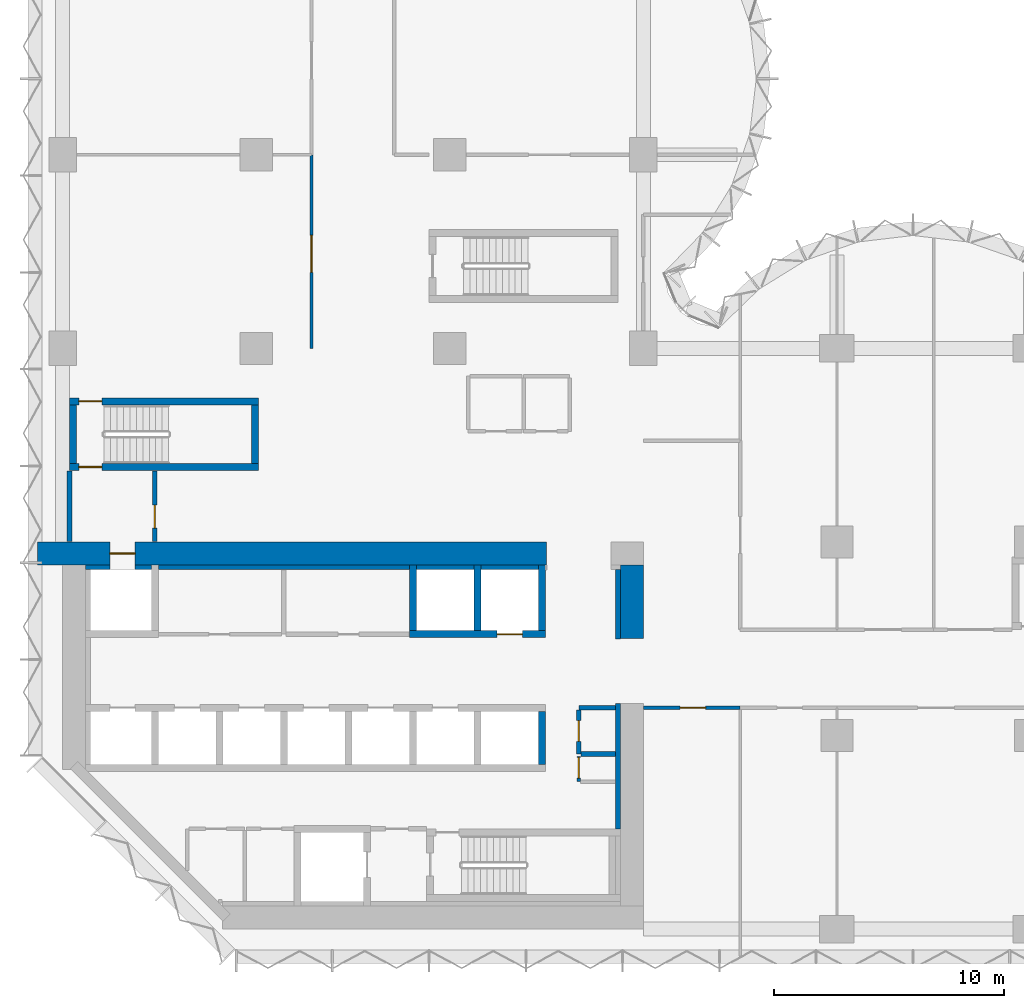
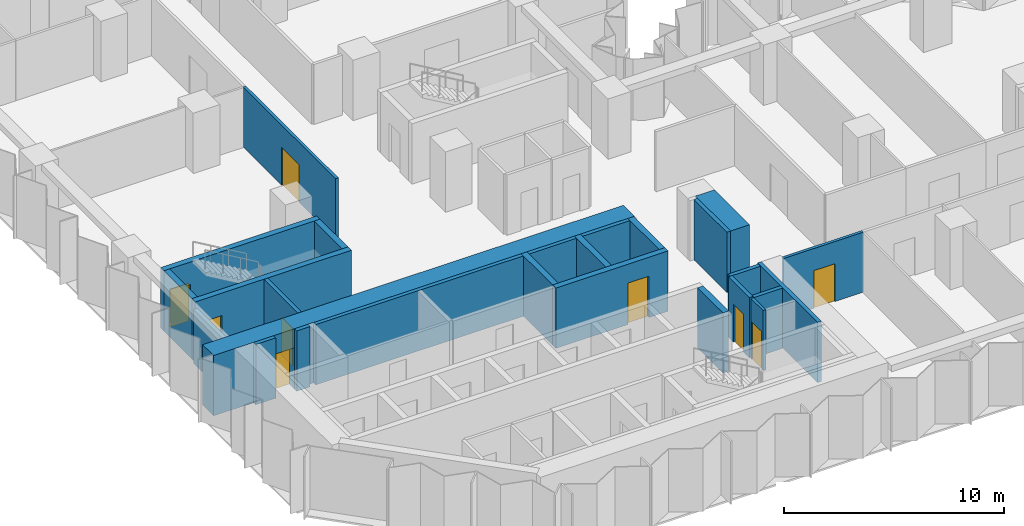
# One storey, part 8 of 15: 26 walls, 9 doors, 9 openings.
"""IFC4 building model written with IfcOpenShell, lengths in metres."""

import ifcopenshell
import ifcopenshell.guid

model = None  # the IFC model being written
_history = None  # IfcOwnerHistory: only IFC2X3 demands one
_inside = {}  # id of a spatial element -> (the spatial element, [elements in it])
_under = {}  # id of a project, library or spatial element -> (it, [spatial elements below it])
_declared = {}  # id of a project -> (the project, [libraries it declares])
_typed = {}  # id of a type object -> (the type object, [elements of that type])
_made_of = {}  # id of a material, layer set ... -> (it, [elements and type objects made of it])


def new_model(schema):
    """Start an empty IFC model of exactly this schema.

    Asked for "IFC4X3", IfcOpenShell would pick the latest addendum, in which some entities
    have other attributes; the version numbers below select the first issue.
    IFC2X3 requires an IfcOwnerHistory on every rooted entity: one is made here for all.
    """
    global model, _history
    if schema == "IFC4X3":
        model = ifcopenshell.file(schema_version=(4, 3, 0, 0))
    else:
        model = ifcopenshell.file(schema=schema)
    _inside.clear()
    _under.clear()
    _declared.clear()
    _typed.clear()
    _made_of.clear()
    _history = None
    if model.schema == "IFC2X3":
        org = make("IfcOrganization", Name="unknown")
        user = make(
            "IfcPersonAndOrganization",
            ThePerson=make("IfcPerson", FamilyName="unknown"),
            TheOrganization=org,
        )
        app = make(
            "IfcApplication",
            ApplicationDeveloper=org,
            Version="unknown",
            ApplicationFullName="unknown",
            ApplicationIdentifier="unknown",
        )
        _history = make(
            "IfcOwnerHistory",
            OwningUser=user,
            OwningApplication=app,
            ChangeAction="ADDED",
            CreationDate=0,
        )
    return model


def make(cls, **values):
    """One entity of the class cls with the attributes given. An attribute that is None is left unset."""
    return model.create_entity(
        cls, **{name: value for name, value in values.items() if value is not None}
    )


def rooted(cls, **values):
    """An entity with a GlobalId (a new one), such as an element, a storey or a relation."""
    return make(cls, GlobalId=ifcopenshell.guid.new(), OwnerHistory=_history, **values)


def si_unit(unit_type, name, prefix=None):
    """IfcSIUnit, for example si_unit("LENGTHUNIT", "METRE", prefix="MILLI")."""
    return make("IfcSIUnit", UnitType=unit_type, Prefix=prefix, Name=name)


def assignment(units):
    """IfcUnitAssignment: the units of a project."""
    return None if units is None else make("IfcUnitAssignment", Units=units)


def point(xyz):
    """IfcCartesianPoint."""
    return None if xyz is None else make("IfcCartesianPoint", Coordinates=xyz)


def direction(xyz):
    """IfcDirection."""
    return None if xyz is None else make("IfcDirection", DirectionRatios=xyz)


def frame(location, z_axis=None, x_axis=None):
    """IfcAxis2Placement3D, a coordinate frame: its origin and axes. An axis left out is left unset."""
    return make(
        "IfcAxis2Placement3D",
        Location=point(location),
        Axis=direction(z_axis),
        RefDirection=direction(x_axis),
    )


def frame_2d(location, x_axis=None):
    """IfcAxis2Placement2D, a coordinate frame in the plane: its origin and x axis."""
    return make(
        "IfcAxis2Placement2D", Location=point(location), RefDirection=direction(x_axis)
    )


def origin():
    """The frame at (0, 0, 0) with its axes left unset."""
    return frame((0.0, 0.0, 0.0))


def place(relative_to, where):
    """IfcLocalPlacement: puts the frame where relative to a parent placement (None: the world)."""
    return make(
        "IfcLocalPlacement", PlacementRelTo=relative_to, RelativePlacement=where
    )


def context(
    kind, dimensions, precision=None, world=None, true_north=None, identifier=None
):
    """IfcGeometricRepresentationContext, for example the 3D "Model" context."""
    return make(
        "IfcGeometricRepresentationContext",
        ContextIdentifier=identifier,
        ContextType=kind,
        CoordinateSpaceDimension=dimensions,
        Precision=precision,
        WorldCoordinateSystem=world,
        TrueNorth=true_north,
    )


def subcontext(parent, identifier, kind, view, scale=None):
    """IfcGeometricRepresentationSubContext, for example "Body" below "Model"."""
    return make(
        "IfcGeometricRepresentationSubContext",
        ContextIdentifier=identifier,
        ContextType=kind,
        ParentContext=parent,
        TargetScale=scale,
        TargetView=view,
    )


def project(units=None, contexts=None):
    """IfcProject with its units and contexts."""
    return rooted(
        "IfcProject",
        Name="project",
        RepresentationContexts=contexts,
        UnitsInContext=assignment(units),
    )


def spatial(cls, under=None, at=None, **own):
    """A site, building, storey or space (cls), placed at a placement, below another one or the project."""
    s = rooted(cls, ObjectPlacement=at, **own)
    if under is not None:
        _under.setdefault(under.id(), (under, []))[1].append(s)
    return s


def profile(cls, at=None, kind="AREA", **sizes):
    """A parametric profile (cls). Its sizes go by their IFC names, for example OverallWidth=200.0."""
    return make(cls, ProfileType=kind, Position=at, **sizes)


def rectangle(**sizes):
    """IfcRectangleProfileDef."""
    return profile("IfcRectangleProfileDef", **sizes)


def extrude(swept, where, along, depth):
    """IfcExtrudedAreaSolid: the profile swept, set in the frame where, extruded along a direction by depth."""
    return make(
        "IfcExtrudedAreaSolid",
        SweptArea=swept,
        Position=where,
        ExtrudedDirection=direction(along),
        Depth=depth,
    )


def shape(context_of_items, identifier, shape_type, items):
    """IfcShapeRepresentation: the items that make up one representation, for example the "Body"."""
    return make(
        "IfcShapeRepresentation",
        ContextOfItems=context_of_items,
        RepresentationIdentifier=identifier,
        RepresentationType=shape_type,
        Items=items,
    )


def material(Name=None, Category=None):
    """IfcMaterial."""
    return make("IfcMaterial", Name=Name, Category=Category)


def layer(
    of_material, thickness, ventilated=None, Name=None, Category=None, Priority=None
):
    """IfcMaterialLayer: one layer of a wall or slab, of a material (None: an air gap)."""
    return make(
        "IfcMaterialLayer",
        Material=of_material,
        LayerThickness=thickness,
        IsVentilated=ventilated,
        Name=Name,
        Category=Category,
        Priority=Priority,
    )


def layer_set(layers, Name=None):
    """IfcMaterialLayerSet."""
    return make("IfcMaterialLayerSet", MaterialLayers=layers, LayerSetName=Name)


def made_of(thing, what):
    """Note that an element or type object is made of a material, layer set ...; save() writes the relation."""
    if what is not None:
        _made_of.setdefault(what.id(), (what, []))[1].append(thing)
    return thing


def type_object(cls, material=None, **own):
    """A type object (cls), such as IfcWallType, which elements share."""
    return made_of(rooted(cls, **own), material)


def element(
    cls,
    number,
    at=None,
    inside=None,
    cuts=None,
    type_object=None,
    material=None,
    context=None,
    identifier="Body",
    shape_type=None,
    held_by="IfcProductDefinitionShape",
    body=None,
    shapes=None,
    **own,
):
    """One element of the class cls, such as IfcWall. Its Tag is "e" and its number.

    at: its placement. inside: the storey or other place that contains it. cuts: it is an
    opening in that element (IfcRelVoidsElement). A single representation is given by context,
    identifier, shape_type and body (its items); several are given by shapes. held_by: the class
    of the entity that holds the representations. save() writes the other relations.
    """
    e = rooted(cls, Tag="e%d" % number, ObjectPlacement=at, **own)
    if body is not None:
        shapes = [shape(context, identifier, shape_type, body)]
    if shapes is not None:
        e.Representation = make(held_by, Representations=shapes)
    if inside is not None:
        _inside.setdefault(inside.id(), (inside, []))[1].append(e)
    if cuts is not None:
        rooted(
            "IfcRelVoidsElement", RelatingBuildingElement=cuts, RelatedOpeningElement=e
        )
    if type_object is not None:
        _typed.setdefault(type_object.id(), (type_object, []))[1].append(e)
    return made_of(e, material)


def fill(opening, filler):
    """IfcRelFillsElement: the door or window that sits in an opening."""
    return rooted(
        "IfcRelFillsElement",
        RelatingOpeningElement=opening,
        RelatedBuildingElement=filler,
    )


def aggregate(whole, parts):
    """IfcRelAggregates: a whole, such as a stair, and the parts it consists of."""
    return rooted("IfcRelAggregates", RelatingObject=whole, RelatedObjects=parts)


def save(model, path):
    """Write the relations noted so far, then the file.

    IfcRelAggregates (storeys below a building ...), IfcRelContainedInSpatialStructure (elements
    in a storey), IfcRelDefinesByType, IfcRelAssociatesMaterial and IfcRelDeclares: one each for
    every whole, place, type object, material and project.
    """
    for whole, parts in _under.values():
        aggregate(whole, parts)
    for where, things in _inside.values():
        rooted(
            "IfcRelContainedInSpatialStructure",
            RelatedElements=things,
            RelatingStructure=where,
        )
    for kind, things in _typed.values():
        rooted("IfcRelDefinesByType", RelatedObjects=things, RelatingType=kind)
    for what, things in _made_of.values():
        rooted("IfcRelAssociatesMaterial", RelatedObjects=things, RelatingMaterial=what)
    for by, libraries in _declared.values():
        rooted("IfcRelDeclares", RelatingContext=by, RelatedDefinitions=libraries)
    model.write(path)


model = new_model("IFC4")

# Units and contexts
model_context = context("Model", 3, precision=1e-05, world=origin(), true_north=direction((0.0, 1.0)))
body_context = subcontext(model_context, "Body", "Model", "MODEL_VIEW")
ifc_project = project(units=[si_unit("LENGTHUNIT", "METRE"), si_unit("AREAUNIT", "SQUARE_METRE"), si_unit("VOLUMEUNIT", "CUBIC_METRE"), si_unit("PLANEANGLEUNIT", "RADIAN"), si_unit("MASSUNIT", "GRAM", prefix="KILO")], contexts=[model_context])

# Site, building, storey
site_placement = place(None, origin())
site = spatial("IfcSite", under=ifc_project, at=site_placement, CompositionType="ELEMENT")
building_placement = place(site_placement, origin())
building = spatial("IfcBuilding", under=site, at=building_placement, Name="Brevane Broadcast Tower", CompositionType="ELEMENT")
storey_placement = place(building_placement, frame((0.0, 0.0, 61.699951171875)))
storey = spatial("IfcBuildingStorey", under=building, at=storey_placement, Name="L13", CompositionType="ELEMENT", Elevation=61.699951171875)

# Walls
ifc_material_1 = material(Name="Concrete C32/40", Category="concrete")
ifc_layer_1 = layer(ifc_material_1, 0.199951171875)
ifc_layer_set_1 = layer_set([ifc_layer_1], Name="Core chase wall 200 mm")
wall_type_1 = type_object("IfcWallType", Name="Core chase wall 200 mm", PredefinedType="PARTITIONING", material=ifc_layer_set_1)
wall_1_placement = place(storey_placement, frame((24.10009765625, 12.60009765625, 0.0), z_axis=(0.0, 0.0, 1.0), x_axis=(0.0, 1.0, 0.0)))
element("IfcWall", 1, at=wall_1_placement, inside=storey, type_object=wall_type_1, Name="L13 chase wall LE2", PredefinedType="PARTITIONING", context=body_context, shape_type="SweptSolid", body=[
    extrude(rectangle(XDim=3.0, YDim=0.199951171875, at=frame_2d((1.5, 0.0))), origin(), (0.0, 0.0, 1.0), 3.35009765625),
])
wall_2_placement = place(storey_placement, frame((1.0, 15.699951171875, 0.0), z_axis=(0.0, 0.0, 1.0), x_axis=(1.0, 0.0, 0.0)))
element("IfcWall", 2, at=wall_2_placement, inside=storey, type_object=wall_type_1, Name="L13 chase wall LN0", PredefinedType="PARTITIONING", context=body_context, shape_type="SweptSolid", body=[
    extrude(rectangle(XDim=1.050048828125, YDim=0.199951171875, at=frame_2d((0.52490234375, 0.0))), origin(), (0.0, 0.0, 1.0), 3.35009765625),
])
wall_3_placement = place(storey_placement, frame((3.14990234375, 15.699951171875, 0.0), z_axis=(0.0, 0.0, 1.0), x_axis=(1.0, 0.0, 0.0)))
element("IfcWall", 3, at=wall_3_placement, inside=storey, type_object=wall_type_1, Name="L13 chase wall LN1-1", PredefinedType="PARTITIONING", context=body_context, shape_type="SweptSolid", body=[
    extrude(rectangle(XDim=0.7001953125, YDim=0.199951171875, at=frame_2d((0.35009765625, 0.0))), origin(), (0.0, 0.0, 1.0), 3.35009765625),
])
wall_4_placement = place(storey_placement, frame((4.14990234375, 15.699951171875, 0.0), z_axis=(0.0, 0.0, 1.0), x_axis=(1.0, 0.0, 0.0)))
element("IfcWall", 4, at=wall_4_placement, inside=storey, type_object=wall_type_1, Name="L13 chase wall LN1-2-1", PredefinedType="PARTITIONING", context=body_context, shape_type="SweptSolid", body=[
    extrude(rectangle(XDim=10.900146484375, YDim=0.199951171875, at=frame_2d((5.4501953125, 0.0))), origin(), (0.0, 0.0, 1.0), 3.35009765625),
])
for number, where, z_axis, x_axis, name in (
    (5, (15.35009765625, 15.699951171875, 0.0), (0.0, 0.0, 1.0), (1.0, 0.0, 0.0), "L13 chase wall LN1-2-2-1"),
    (6, (18.14990234375, 15.699951171875, 0.0), (0.0, 0.0, 1.0), (1.0, 0.0, 0.0), "L13 chase wall LN1-2-2-2-1"),
):
    element("IfcWall", number, at=place(storey_placement, frame(where, z_axis=z_axis, x_axis=x_axis)), inside=storey, type_object=wall_type_1, Name=name, PredefinedType="PARTITIONING", context=body_context, shape_type="SweptSolid", body=[
        extrude(rectangle(XDim=2.5, YDim=0.199951171875, at=frame_2d((1.25, 0.0))), origin(), (0.0, 0.0, 1.0), 3.35009765625),
    ])
wall_5_placement = place(storey_placement, frame((24.10009765625, 4.35009765625, 0.0), z_axis=(0.0, 0.0, 1.0), x_axis=(0.0, 1.0, 0.0)))
element("IfcWall", 7, at=wall_5_placement, inside=storey, type_object=wall_type_1, Name="L13 chase wall LE1-2-2", PredefinedType="PARTITIONING", context=body_context, shape_type="SweptSolid", body=[
    extrude(rectangle(XDim=5.449951171875, YDim=0.199951171875, at=frame_2d((2.72509765625, 0.0))), origin(), (0.0, 0.0, 1.0), 3.35009765625),
])

# Wall, opening, door
ifc_material_2 = material(Name="Gypsum board on steel studs", Category="steel")
ifc_layer_2 = layer(ifc_material_2, 0.14990234375)
ifc_layer_set_2 = layer_set([ifc_layer_2], Name="Core fire partition 150 mm")
wall_type_2 = type_object("IfcWallType", Name="Core fire partition 150 mm", PredefinedType="PARTITIONING", material=ifc_layer_set_2)
wall_6_placement = place(storey_placement, frame((22.39990234375, 7.5, 0.0), z_axis=(0.0, 0.0, 1.0), x_axis=(0.0, -1.0, 0.0)))
wall_6 = element("IfcWall", 8, at=wall_6_placement, inside=storey, type_object=wall_type_2, Name="L13 partition wall P22", PredefinedType="PARTITIONING", context=body_context, shape_type="SweptSolid", body=[
    extrude(rectangle(XDim=1.10009765625, YDim=0.14990234375, at=frame_2d((0.550048828125, 0.0))), origin(), (0.0, 0.0, 1.0), 3.35009765625),
])
opening_1_placement = place(wall_6_placement, frame((0.050048828125, 0.0, 0.0)))
opening_1 = element("IfcOpeningElement", 9, at=opening_1_placement, cuts=wall_6, Name="Opening L13-K19", PredefinedType="OPENING", context=body_context, shape_type="SweptSolid", body=[
    extrude(rectangle(XDim=0.89990234375, YDim=2.10009765625, at=frame_2d((0.449951171875, 1.050048828125))), frame((0.0, 0.0849609375, 0.0), z_axis=(0.0, -1.0, 0.0), x_axis=(1.0, 0.0, 0.0)), (0.0, 0.0, 1.0), 0.169921875),
])
ifc_material_3 = material(Name="Steel", Category="steel")
door_type_1 = type_object("IfcDoorType", Name="Service room door 900 x 2100", OperationType="SINGLE_SWING_LEFT", PredefinedType="DOOR", material=ifc_material_3)
door_1_placement = place(opening_1_placement, origin())
door_1 = element("IfcDoor", 10, at=door_1_placement, inside=storey, type_object=door_type_1, Name="Door L13-K19", OperationType="SINGLE_SWING_RIGHT", OverallHeight=2.10009765625, OverallWidth=0.89990234375, PredefinedType="DOOR", context=body_context, shape_type="SweptSolid", body=[
    extrude(rectangle(XDim=0.89990234375, YDim=2.10009765625, at=frame_2d((0.449951171875, 1.050048828125))), frame((0.0, 0.02490234375, 0.0), z_axis=(0.0, -1.0, 0.0), x_axis=(1.0, 0.0, 0.0)), (0.0, 0.0, 1.0), 0.050048828125),
])
fill(opening_1, door_1)

# Wall
ifc_layer_3 = layer(ifc_material_2, 0.199951171875)
ifc_layer_set_3 = layer_set([ifc_layer_3], Name="Core fire partition 200 mm")
wall_type_3 = type_object("IfcWallType", Name="Core fire partition 200 mm", PredefinedType="PARTITIONING", material=ifc_layer_set_3)
wall_7_placement = place(storey_placement, frame((0.300048828125, 16.81201171875, 0.0), z_axis=(0.0, 0.0, 1.0), x_axis=(0.0, 1.0, 0.0)))
element("IfcWall", 11, at=wall_7_placement, inside=storey, type_object=wall_type_3, Name="L13 partition wall P01", PredefinedType="PARTITIONING", context=body_context, shape_type="SweptSolid", body=[
    extrude(rectangle(XDim=3.075927734375, YDim=0.199951171875, at=frame_2d((1.5380859375, 0.0))), origin(), (0.0, 0.0, 1.0), 2.97998046875),
])

# Wall, opening, door
wall_8_placement = place(storey_placement, frame((4.0, 19.887939453125, 0.0), z_axis=(0.0, 0.0, 1.0), x_axis=(0.0, -1.0, 0.0)))
wall_8 = element("IfcWall", 12, at=wall_8_placement, inside=storey, type_object=wall_type_3, Name="L13 partition wall P02", PredefinedType="PARTITIONING", context=body_context, shape_type="SweptSolid", body=[
    extrude(rectangle(XDim=3.075927734375, YDim=0.199951171875, at=frame_2d((1.5380859375, 0.0))), origin(), (0.0, 0.0, 1.0), 3.35009765625),
])
opening_2_placement = place(wall_8_placement, frame((1.488037109375, 0.0, 0.0)))
opening_2 = element("IfcOpeningElement", 13, at=opening_2_placement, cuts=wall_8, Name="Opening L13-K23", PredefinedType="OPENING", context=body_context, shape_type="SweptSolid", body=[
    extrude(rectangle(XDim=1.0, YDim=2.10009765625, at=frame_2d((0.5, 1.050048828125))), frame((0.0, 0.10986328125, 0.0), z_axis=(0.0, -1.0, 0.0), x_axis=(1.0, 0.0, 0.0)), (0.0, 0.0, 1.0), 0.219970703125),
])
door_type_2 = type_object("IfcDoorType", Name="Stair door 1000 x 2100", OperationType="SINGLE_SWING_LEFT", PredefinedType="DOOR", material=ifc_material_3)
door_2_placement = place(opening_2_placement, origin())
door_2 = element("IfcDoor", 14, at=door_2_placement, inside=storey, type_object=door_type_2, Name="Door L13-K23", OperationType="SINGLE_SWING_RIGHT", OverallHeight=2.10009765625, OverallWidth=1.0, PredefinedType="DOOR", context=body_context, shape_type="SweptSolid", body=[
    extrude(rectangle(XDim=1.0, YDim=2.10009765625, at=frame_2d((0.5, 1.050048828125))), frame((0.0, 0.02490234375, 0.0), z_axis=(0.0, -1.0, 0.0), x_axis=(1.0, 0.0, 0.0)), (0.0, 0.0, 1.0), 0.050048828125),
])
fill(opening_2, door_2)

# Wall
wall_9_placement = place(storey_placement, frame((23.988037109375, 9.60009765625, 0.0), z_axis=(0.0, 0.0, 1.0), x_axis=(-1.0, 0.0, 0.0)))
element("IfcWall", 15, at=wall_9_placement, inside=storey, type_object=wall_type_3, Name="L13 partition wall P06", PredefinedType="PARTITIONING", context=body_context, shape_type="SweptSolid", body=[
    extrude(rectangle(XDim=1.588134765625, YDim=0.199951171875, at=frame_2d((0.7939453125, 0.0))), origin(), (0.0, 0.0, 1.0), 3.35009765625),
])

# Wall, opening, door
wall_10_placement = place(storey_placement, frame((22.39990234375, 9.5, 0.0), z_axis=(0.0, 0.0, 1.0), x_axis=(0.0, -1.0, 0.0)))
wall_10 = element("IfcWall", 16, at=wall_10_placement, inside=storey, type_object=wall_type_3, Name="L13 partition wall P07", PredefinedType="PARTITIONING", context=body_context, shape_type="SweptSolid", body=[
    extrude(rectangle(XDim=1.89990234375, YDim=0.199951171875, at=frame_2d((0.949951171875, 0.0))), origin(), (0.0, 0.0, 1.0), 3.35009765625),
])
opening_3_placement = place(wall_10_placement, frame((0.449951171875, 0.0, 0.0)))
opening_3 = element("IfcOpeningElement", 17, at=opening_3_placement, cuts=wall_10, Name="Opening L13-K20", PredefinedType="OPENING", context=body_context, shape_type="SweptSolid", body=[
    extrude(rectangle(XDim=0.89990234375, YDim=2.10009765625, at=frame_2d((0.449951171875, 1.050048828125))), frame((0.0, 0.10986328125, 0.0), z_axis=(0.0, -1.0, 0.0), x_axis=(1.0, 0.0, 0.0)), (0.0, 0.0, 1.0), 0.219970703125),
])
door_3_placement = place(opening_3_placement, origin())
door_3 = element("IfcDoor", 18, at=door_3_placement, inside=storey, type_object=door_type_1, Name="Door L13-K20", OperationType="SINGLE_SWING_LEFT", OverallHeight=2.10009765625, OverallWidth=0.89990234375, PredefinedType="DOOR", context=body_context, shape_type="SweptSolid", body=[
    extrude(rectangle(XDim=0.89990234375, YDim=2.10009765625, at=frame_2d((0.449951171875, 1.050048828125))), frame((0.0, 0.02490234375, 0.0), z_axis=(0.0, -1.0, 0.0), x_axis=(1.0, 0.0, 0.0)), (0.0, 0.0, 1.0), 0.050048828125),
])
fill(opening_3, door_3)

# Wall
wall_11_placement = place(storey_placement, frame((22.5, 7.60009765625, 0.0), z_axis=(0.0, 0.0, 1.0), x_axis=(1.0, 0.0, 0.0)))
element("IfcWall", 19, at=wall_11_placement, inside=storey, type_object=wall_type_3, Name="L13 partition wall P08", PredefinedType="PARTITIONING", context=body_context, shape_type="SweptSolid", body=[
    extrude(rectangle(XDim=1.488037109375, YDim=0.199951171875, at=frame_2d((0.744140625, 0.0))), origin(), (0.0, 0.0, 1.0), 3.35009765625),
])

# Wall, opening, door
ifc_material_4 = material(Name="Concrete C80/95", Category="concrete")
ifc_layer_4 = layer(ifc_material_4, 1.0)
ifc_layer_set_4 = layer_set([ifc_layer_4], Name="Core wall 1000 mm C80/95")
wall_type_4 = type_object("IfcWallType", Name="Core wall 1000 mm C80/95", PredefinedType="SHEAR", material=ifc_layer_set_4)
wall_12_placement = place(storey_placement, frame((-1.10009765625, 16.300048828125, 0.0), z_axis=(0.0, 0.0, 1.0), x_axis=(1.0, 0.0, 0.0)))
wall_12 = element("IfcWall", 20, at=wall_12_placement, inside=storey, type_object=wall_type_4, Name="L13 outer wall WN1", PredefinedType="SHEAR", context=body_context, shape_type="SweptSolid", body=[
    extrude(rectangle(XDim=22.10009765625, YDim=1.0, at=frame_2d((11.050048828125, 0.0))), origin(), (0.0, 0.0, 1.0), 3.35009765625),
])
opening_4_placement = place(wall_12_placement, frame((3.14990234375, 0.0, 0.0)))
opening_4 = element("IfcOpeningElement", 21, at=opening_4_placement, cuts=wall_12, Name="Opening LD", PredefinedType="OPENING", context=body_context, shape_type="SweptSolid", body=[
    extrude(rectangle(XDim=1.10009765625, YDim=2.300048828125, at=frame_2d((0.550048828125, 1.14990234375))), frame((0.0, 0.510009765625, 0.0), z_axis=(0.0, -1.0, 0.0), x_axis=(1.0, 0.0, 0.0)), (0.0, 0.0, 1.0), 1.02001953125),
])
ifc_material_5 = material(Name="Stainless steel", Category="steel")
door_type_3 = type_object("IfcDoorType", Name="Lift landing door", OperationType="SLIDING_TO_LEFT", PredefinedType="DOOR", material=ifc_material_5)
door_4_placement = place(opening_4_placement, origin())
door_4 = element("IfcDoor", 22, at=door_4_placement, inside=storey, type_object=door_type_3, Name="Landing door FF1 L13", OperationType="SLIDING_TO_LEFT", OverallHeight=2.300048828125, OverallWidth=1.10009765625, PredefinedType="DOOR", context=body_context, shape_type="SweptSolid", body=[
    extrude(rectangle(XDim=1.10009765625, YDim=2.300048828125, at=frame_2d((0.550048828125, 1.14990234375))), frame((0.0, 0.02490234375, 0.0), z_axis=(0.0, -1.0, 0.0), x_axis=(1.0, 0.0, 0.0)), (0.0, 0.0, 1.0), 0.050048828125),
])
fill(opening_4, door_4)

# Walls
wall_13_placement = place(storey_placement, frame((24.699951171875, 12.60009765625, 0.0), z_axis=(0.0, 0.0, 1.0), x_axis=(0.0, 1.0, 0.0)))
element("IfcWall", 23, at=wall_13_placement, inside=storey, type_object=wall_type_4, Name="L13 outer wall WE2", PredefinedType="SHEAR", context=body_context, shape_type="SweptSolid", body=[
    extrude(rectangle(XDim=3.199951171875, YDim=1.0, at=frame_2d((1.60009765625, 0.0))), origin(), (0.0, 0.0, 1.0), 3.35009765625),
])
ifc_layer_5 = layer(ifc_material_4, 0.300048828125)
ifc_layer_set_5 = layer_set([ifc_layer_5], Name="Core wall 300 mm C80/95")
wall_type_5 = type_object("IfcWallType", Name="Core wall 300 mm C80/95", PredefinedType="SHEAR", material=ifc_layer_set_5)
wall_14_placement = place(storey_placement, frame((20.800048828125, 7.14990234375, 0.0), z_axis=(0.0, 0.0, 1.0), x_axis=(0.0, 1.0, 0.0)))
element("IfcWall", 24, at=wall_14_placement, inside=storey, type_object=wall_type_5, Name="L13 shaft wall SH-S-P208", PredefinedType="SHEAR", context=body_context, shape_type="SweptSolid", body=[
    extrude(rectangle(XDim=2.300048828125, YDim=0.300048828125, at=frame_2d((1.14990234375, 0.0))), origin(), (0.0, 0.0, 1.0), 3.35009765625),
])

# Wall, opening, door
wall_15_placement = place(storey_placement, frame((15.050048828125, 12.800048828125, 0.0), z_axis=(0.0, 0.0, 1.0), x_axis=(1.0, 0.0, 0.0)))
wall_15 = element("IfcWall", 25, at=wall_15_placement, inside=storey, type_object=wall_type_5, Name="L13 shaft wall SH-N152-front", PredefinedType="SHEAR", context=body_context, shape_type="SweptSolid", body=[
    extrude(rectangle(XDim=5.89990234375, YDim=0.300048828125, at=frame_2d((2.949951171875, 0.0))), origin(), (0.0, 0.0, 1.0), 3.35009765625),
])
opening_5_placement = place(wall_15_placement, frame((3.800048828125, 0.0, 0.0)))
opening_5 = element("IfcOpeningElement", 26, at=opening_5_placement, cuts=wall_15, Name="Opening LD", PredefinedType="OPENING", context=body_context, shape_type="SweptSolid", body=[
    extrude(rectangle(XDim=1.10009765625, YDim=2.300048828125, at=frame_2d((0.550048828125, 1.14990234375))), frame((0.0, 0.159912109375, 0.0), z_axis=(0.0, -1.0, 0.0), x_axis=(1.0, 0.0, 0.0)), (0.0, 0.0, 1.0), 0.320068359375),
])
door_5_placement = place(opening_5_placement, origin())
door_5 = element("IfcDoor", 27, at=door_5_placement, inside=storey, type_object=door_type_3, Name="Landing door SL1 L13", OperationType="SLIDING_TO_LEFT", OverallHeight=2.300048828125, OverallWidth=1.10009765625, PredefinedType="DOOR", context=body_context, shape_type="SweptSolid", body=[
    extrude(rectangle(XDim=1.10009765625, YDim=2.300048828125, at=frame_2d((0.550048828125, 1.14990234375))), frame((0.0, 0.02490234375, 0.0), z_axis=(0.0, -1.0, 0.0), x_axis=(1.0, 0.0, 0.0)), (0.0, 0.0, 1.0), 0.050048828125),
])
fill(opening_5, door_5)

# Walls
for number, where, z_axis, x_axis, name in (
    (28, (15.199951171875, 12.949951171875, 0.0), (0.0, 0.0, 1.0), (0.0, 1.0, 0.0), "L13 shaft wall SH-N-P152"),
    (29, (18.0, 12.949951171875, 0.0), (0.0, 0.0, 1.0), (0.0, 1.0, 0.0), "L13 shaft wall SH-N-P180"),
    (30, (20.800048828125, 12.949951171875, 0.0), (0.0, 0.0, 1.0), (0.0, 1.0, 0.0), "L13 shaft wall SH-N-P208"),
):
    element("IfcWall", number, at=place(storey_placement, frame(where, z_axis=z_axis, x_axis=x_axis)), inside=storey, type_object=wall_type_5, Name=name, PredefinedType="SHEAR", context=body_context, shape_type="SweptSolid", body=[
        extrude(rectangle(XDim=2.85009765625, YDim=0.300048828125, at=frame_2d((1.425048828125, 0.0))), origin(), (0.0, 0.0, 1.0), 3.35009765625),
    ])

# Wall, opening, door
wall_16_placement = place(storey_placement, frame((8.5, 20.050048828125, 0.0), z_axis=(0.0, 0.0, 1.0), x_axis=(-1.0, 0.0, 0.0)))
wall_16 = element("IfcWall", 31, at=wall_16_placement, inside=storey, type_object=wall_type_5, Name="L13 stair wall ST-1-S", PredefinedType="SHEAR", context=body_context, shape_type="SweptSolid", body=[
    extrude(rectangle(XDim=8.199951171875, YDim=0.300048828125, at=frame_2d((4.10009765625, 0.0))), origin(), (0.0, 0.0, 1.0), 3.35009765625),
])
opening_6_placement = place(wall_16_placement, frame((6.800048828125, 0.0, 0.0)))
opening_6 = element("IfcOpeningElement", 32, at=opening_6_placement, cuts=wall_16, Name="Opening L13-K10", PredefinedType="OPENING", context=body_context, shape_type="SweptSolid", body=[
    extrude(rectangle(XDim=1.0, YDim=2.10009765625, at=frame_2d((0.5, 1.050048828125))), frame((0.0, 0.159912109375, 0.0), z_axis=(0.0, -1.0, 0.0), x_axis=(1.0, 0.0, 0.0)), (0.0, 0.0, 1.0), 0.320068359375),
])
door_6_placement = place(opening_6_placement, origin())
door_6 = element("IfcDoor", 33, at=door_6_placement, inside=storey, type_object=door_type_2, Name="Door L13-K10", OperationType="SINGLE_SWING_LEFT", OverallHeight=2.10009765625, OverallWidth=1.0, PredefinedType="DOOR", context=body_context, shape_type="SweptSolid", body=[
    extrude(rectangle(XDim=1.0, YDim=2.10009765625, at=frame_2d((0.5, 1.050048828125))), frame((0.0, 0.02490234375, 0.0), z_axis=(0.0, -1.0, 0.0), x_axis=(1.0, 0.0, 0.0)), (0.0, 0.0, 1.0), 0.050048828125),
])
fill(opening_6, door_6)

wall_17_placement = place(storey_placement, frame((0.300048828125, 22.89990234375, 0.0), z_axis=(0.0, 0.0, 1.0), x_axis=(1.0, 0.0, 0.0)))
wall_17 = element("IfcWall", 34, at=wall_17_placement, inside=storey, type_object=wall_type_5, Name="L13 stair wall ST-1-N", PredefinedType="SHEAR", context=body_context, shape_type="SweptSolid", body=[
    extrude(rectangle(XDim=8.199951171875, YDim=0.300048828125, at=frame_2d((4.10009765625, 0.0))), origin(), (0.0, 0.0, 1.0), 3.35009765625),
])
opening_7_placement = place(wall_17_placement, frame((0.39990234375, 0.0, 0.0)))
opening_7 = element("IfcOpeningElement", 35, at=opening_7_placement, cuts=wall_17, Name="Opening L13-K11", PredefinedType="OPENING", context=body_context, shape_type="SweptSolid", body=[
    extrude(rectangle(XDim=1.0, YDim=2.10009765625, at=frame_2d((0.5, 1.050048828125))), frame((0.0, 0.159912109375, 0.0), z_axis=(0.0, -1.0, 0.0), x_axis=(1.0, 0.0, 0.0)), (0.0, 0.0, 1.0), 0.320068359375),
])
door_7_placement = place(opening_7_placement, origin())
door_7 = element("IfcDoor", 36, at=door_7_placement, inside=storey, type_object=door_type_2, Name="Door L13-K11", OperationType="SINGLE_SWING_RIGHT", OverallHeight=2.10009765625, OverallWidth=1.0, PredefinedType="DOOR", context=body_context, shape_type="SweptSolid", body=[
    extrude(rectangle(XDim=1.0, YDim=2.10009765625, at=frame_2d((0.5, 1.050048828125))), frame((0.0, 0.02490234375, 0.0), z_axis=(0.0, -1.0, 0.0), x_axis=(1.0, 0.0, 0.0)), (0.0, 0.0, 1.0), 0.050048828125),
])
fill(opening_7, door_7)

# Walls
for number, where, z_axis, x_axis, name in (
    (37, (0.449951171875, 20.199951171875, 0.0), (0.0, 0.0, 1.0), (0.0, 1.0, 0.0), "L13 stair wall ST-1-W"),
    (38, (8.35009765625, 20.199951171875, 0.0), (0.0, 0.0, 1.0), (0.0, 1.0, 0.0), "L13 stair wall ST-1-E"),
):
    element("IfcWall", number, at=place(storey_placement, frame(where, z_axis=z_axis, x_axis=x_axis)), inside=storey, type_object=wall_type_5, Name=name, PredefinedType="SHEAR", context=body_context, shape_type="SweptSolid", body=[
        extrude(rectangle(XDim=2.550048828125, YDim=0.300048828125, at=frame_2d((1.27490234375, 0.0))), origin(), (0.0, 0.0, 1.0), 3.35009765625),
    ])

# Wall, opening, door
ifc_material_6 = material(Name="Gypsum board partition")
ifc_layer_6 = layer(ifc_material_6, 0.14990234375)
ifc_layer_set_6 = layer_set([ifc_layer_6], Name="PARTITION 150 EI 60")
wall_type_6 = type_object("IfcWallType", Name="PARTITION 150 EI 60", PredefinedType="PARTITIONING", material=ifc_layer_set_6)
wall_18_placement = place(storey_placement, frame((29.39990234375, 9.60009765625, 0.0), z_axis=(0.0, 0.0, 1.0), x_axis=(-1.0, 0.0, 0.0)))
wall_18 = element("IfcWall", 39, at=wall_18_placement, inside=storey, type_object=wall_type_6, Name="Partition G03-002", PredefinedType="PARTITIONING", context=body_context, shape_type="SweptSolid", body=[
    extrude(rectangle(XDim=4.199951171875, YDim=0.14990234375, at=frame_2d((2.10009765625, 0.0))), origin(), (0.0, 0.0, 1.0), 3.330078125),
])
opening_8_placement = place(wall_18_placement, frame((1.5, 0.0, 0.0)))
opening_8 = element("IfcOpeningElement", 40, at=opening_8_placement, cuts=wall_18, Name="Opening D09-003", PredefinedType="OPENING", context=body_context, shape_type="SweptSolid", body=[
    extrude(rectangle(XDim=1.10009765625, YDim=2.10009765625, at=frame_2d((0.550048828125, 1.050048828125))), frame((0.0, 0.0849609375, 0.0), z_axis=(0.0, -1.0, 0.0), x_axis=(1.0, 0.0, 0.0)), (0.0, 0.0, 1.0), 0.169921875),
])
ifc_material_7 = material(Name="Fire-rated timber door leaf", Category="wood")
door_type_4 = type_object("IfcDoorType", Name="DOOR SINGLE 1100 FD30S", OperationType="SINGLE_SWING_LEFT", PredefinedType="DOOR", material=ifc_material_7)
door_8_placement = place(opening_8_placement, origin())
door_8 = element("IfcDoor", 41, at=door_8_placement, inside=storey, type_object=door_type_4, Name="Door D09-003", OperationType="SINGLE_SWING_LEFT", OverallHeight=2.10009765625, OverallWidth=1.10009765625, PredefinedType="DOOR", context=body_context, shape_type="SweptSolid", body=[
    extrude(rectangle(XDim=1.10009765625, YDim=2.10009765625, at=frame_2d((0.550048828125, 1.050048828125))), frame((0.0, 0.02490234375, 0.0), z_axis=(0.0, -1.0, 0.0), x_axis=(1.0, 0.0, 0.0)), (0.0, 0.0, 1.0), 0.050048828125),
])
fill(opening_8, door_8)

wall_19_placement = place(storey_placement, frame((10.800048828125, 25.199951171875, 0.0), z_axis=(0.0, 0.0, 1.0), x_axis=(0.0, 1.0, 0.0)))
wall_19 = element("IfcWall", 42, at=wall_19_placement, inside=storey, type_object=wall_type_6, Name="Partition G03-036", PredefinedType="PARTITIONING", context=body_context, shape_type="SweptSolid", body=[
    extrude(rectangle(XDim=8.400146484375, YDim=0.14990234375, at=frame_2d((4.2001953125, 0.0))), origin(), (0.0, 0.0, 1.0), 3.330078125),
])
opening_9_placement = place(wall_19_placement, frame((3.300048828125, 0.0, 0.0)))
opening_9 = element("IfcOpeningElement", 43, at=opening_9_placement, cuts=wall_19, Name="Opening D09-014", PredefinedType="OPENING", context=body_context, shape_type="SweptSolid", body=[
    extrude(rectangle(XDim=1.60009765625, YDim=2.10009765625, at=frame_2d((0.800048828125, 1.050048828125))), frame((0.0, 0.0849609375, 0.0), z_axis=(0.0, -1.0, 0.0), x_axis=(1.0, 0.0, 0.0)), (0.0, 0.0, 1.0), 0.169921875),
])
door_type_5 = type_object("IfcDoorType", Name="DOOR DOUBLE 1600 FD30S", OperationType="DOUBLE_DOOR_SINGLE_SWING", PredefinedType="DOOR", material=ifc_material_7)
door_9_placement = place(opening_9_placement, origin())
door_9 = element("IfcDoor", 44, at=door_9_placement, inside=storey, type_object=door_type_5, Name="Door D09-014", OperationType="DOUBLE_DOOR_SINGLE_SWING", OverallHeight=2.10009765625, OverallWidth=1.60009765625, PredefinedType="DOOR", context=body_context, shape_type="SweptSolid", body=[
    extrude(rectangle(XDim=1.60009765625, YDim=2.10009765625, at=frame_2d((0.800048828125, 1.050048828125))), frame((0.0, 0.02490234375, 0.0), z_axis=(0.0, -1.0, 0.0), x_axis=(1.0, 0.0, 0.0)), (0.0, 0.0, 1.0), 0.050048828125),
])
fill(opening_9, door_9)

save(model, "model.ifc")
